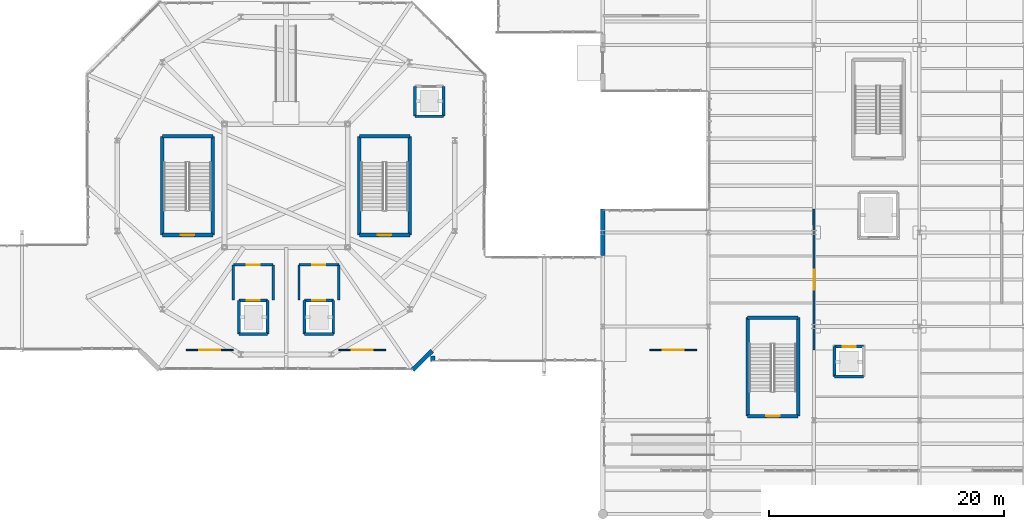
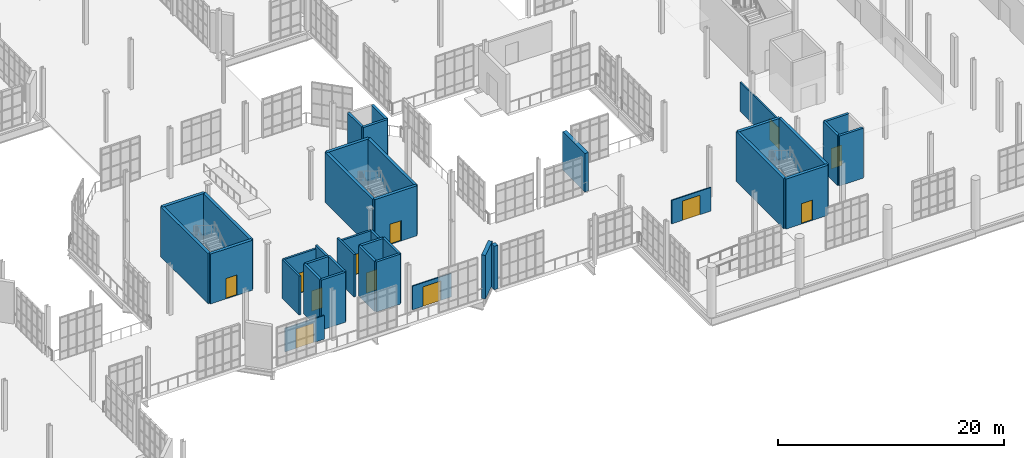
# One storey, part 173 of 189: 39 walls, 12 doors, 12 openings.
"""IFC4 building model written with IfcOpenShell, lengths in metres."""

from ifc_helpers import new_model, si_unit, direction, frame, frame_2d, origin, place, context, subcontext, project, spatial, rectangle, extrude, material, layer, layer_set, type_object, element, fill, save


model = new_model("IFC4")

# Units and contexts
model_context = context("Model", 3, precision=1e-05, world=origin(), true_north=direction((0.0, 1.0)))
body_context = subcontext(model_context, "Body", "Model", "MODEL_VIEW")
ifc_project = project(units=[si_unit("LENGTHUNIT", "METRE"), si_unit("AREAUNIT", "SQUARE_METRE"), si_unit("VOLUMEUNIT", "CUBIC_METRE"), si_unit("PLANEANGLEUNIT", "RADIAN"), si_unit("MASSUNIT", "GRAM", prefix="KILO"), si_unit("THERMODYNAMICTEMPERATUREUNIT", "KELVIN"), si_unit("POWERUNIT", "WATT")], contexts=[model_context])

# Site, building, storey
site_placement = place(None, origin())
site = spatial("IfcSite", under=ifc_project, at=site_placement, CompositionType="ELEMENT")
building_placement = place(site_placement, origin())
building = spatial("IfcBuilding", under=site, at=building_placement, Name="Zelmaris Science Centre", CompositionType="ELEMENT")
storey_placement = place(building_placement, origin())
storey = spatial("IfcBuildingStorey", under=building, at=storey_placement, Name="L00", CompositionType="ELEMENT", Elevation=0.0)

# Wall, opening, door
ifc_material_1 = material(Name="Concrete C40/50", Category="concrete")
ifc_layer_1 = layer(ifc_material_1, 0.300048828125, Name="Concrete C40/50")
ifc_layer_set_1 = layer_set([ifc_layer_1], Name="Concrete C40/50")
wall_type_1 = type_object("IfcWallType", Name="Core Shear Wall CW-S1 300mm", PredefinedType="SOLIDWALL", material=ifc_layer_set_1)
wall_1_placement = place(storey_placement, frame((74.75, 31.800048828125, 0.0), z_axis=(0.0, 0.0, 1.0), x_axis=(-1.0, 0.0, 0.0)))
wall_1 = element("IfcWall", 1, at=wall_1_placement, inside=storey, type_object=wall_type_1, Name="L00 ST-1 core shear wall near", PredefinedType="SOLIDWALL", context=body_context, shape_type="SweptSolid", body=[
    extrude(rectangle(XDim=4.300048828125, YDim=0.300048828125, at=frame_2d((2.14990234375, 0.0))), origin(), (0.0, 0.0, 1.0), 5.39990234375),
])
opening_1_placement = place(wall_1_placement, frame((1.574951171875, 0.0, 0.0)))
opening_1 = element("IfcOpeningElement", 2, at=opening_1_placement, cuts=wall_1, Name="Opening D-FD90", PredefinedType="OPENING", context=body_context, shape_type="SweptSolid", body=[
    extrude(rectangle(XDim=1.14990234375, YDim=2.199951171875, at=frame_2d((0.574951171875, 1.10009765625))), frame((0.0, 0.159912109375, 0.0), z_axis=(0.0, -1.0, 0.0), x_axis=(1.0, 0.0, 0.0)), (0.0, 0.0, 1.0), 0.320068359375),
])
ifc_material_2 = material(Name="Steel ASTM A36", Category="steel")
door_type_1 = type_object("IfcDoorType", Name="Interior Door D-FD90 1150x2200", OperationType="NOTDEFINED", PredefinedType="DOOR", material=ifc_material_2)
door_1_placement = place(opening_1_placement, origin())
door_1 = element("IfcDoor", 3, at=door_1_placement, inside=storey, type_object=door_type_1, Name="L00 ST-1 exit stair fire door", OperationType="SINGLE_SWING_RIGHT", OverallHeight=2.199951171875, OverallWidth=1.14990234375, PredefinedType="DOOR", context=body_context, shape_type="SweptSolid", body=[
    extrude(rectangle(XDim=1.14990234375, YDim=2.199951171875, at=frame_2d((0.574951171875, 1.10009765625))), frame((0.0, 0.02490234375, 0.0), z_axis=(0.0, -1.0, 0.0), x_axis=(1.0, 0.0, 0.0)), (0.0, 0.0, 1.0), 0.050048828125),
])
fill(opening_1, door_1)

# Walls
wall_2_placement = place(storey_placement, frame((74.75, 31.800048828125, 0.0), z_axis=(0.0, 0.0, 1.0), x_axis=(0.0, 1.0, 0.0)))
element("IfcWall", 4, at=wall_2_placement, inside=storey, type_object=wall_type_1, Name="L00 ST-1 core shear wall east", PredefinedType="SOLIDWALL", context=body_context, shape_type="SweptSolid", body=[
    extrude(rectangle(XDim=8.39990234375, YDim=0.300048828125, at=frame_2d((4.199951171875, 0.0))), origin(), (0.0, 0.0, 1.0), 5.39990234375),
])
wall_3_placement = place(storey_placement, frame((74.75, 40.199951171875, 0.0), z_axis=(0.0, 0.0, 1.0), x_axis=(-1.0, 0.0, 0.0)))
element("IfcWall", 5, at=wall_3_placement, inside=storey, type_object=wall_type_1, Name="L00 ST-1 core shear wall far", PredefinedType="SOLIDWALL", context=body_context, shape_type="SweptSolid", body=[
    extrude(rectangle(XDim=4.300048828125, YDim=0.300048828125, at=frame_2d((2.14990234375, 0.0))), origin(), (0.0, 0.0, 1.0), 5.39990234375),
])
wall_4_placement = place(storey_placement, frame((70.449951171875, 31.800048828125, 0.0), z_axis=(0.0, 0.0, 1.0), x_axis=(0.0, 1.0, 0.0)))
element("IfcWall", 6, at=wall_4_placement, inside=storey, type_object=wall_type_1, Name="L00 ST-1 core shear wall west", PredefinedType="SOLIDWALL", context=body_context, shape_type="SweptSolid", body=[
    extrude(rectangle(XDim=8.39990234375, YDim=0.300048828125, at=frame_2d((4.199951171875, 0.0))), origin(), (0.0, 0.0, 1.0), 5.39990234375),
])

# Wall, opening, door
wall_5_placement = place(storey_placement, frame((91.550048828125, 31.800048828125, 0.0), z_axis=(0.0, 0.0, 1.0), x_axis=(-1.0, 0.0, 0.0)))
wall_5 = element("IfcWall", 7, at=wall_5_placement, inside=storey, type_object=wall_type_1, Name="L00 ST-2 core shear wall near", PredefinedType="SOLIDWALL", context=body_context, shape_type="SweptSolid", body=[
    extrude(rectangle(XDim=4.300048828125, YDim=0.300048828125, at=frame_2d((2.14990234375, 0.0))), origin(), (0.0, 0.0, 1.0), 5.39990234375),
])
opening_2_placement = place(wall_5_placement, frame((1.574951171875, 0.0, 0.0)))
opening_2 = element("IfcOpeningElement", 8, at=opening_2_placement, cuts=wall_5, Name="Opening D-FD90", PredefinedType="OPENING", context=body_context, shape_type="SweptSolid", body=[
    extrude(rectangle(XDim=1.14990234375, YDim=2.199951171875, at=frame_2d((0.574951171875, 1.10009765625))), frame((0.0, 0.159912109375, 0.0), z_axis=(0.0, -1.0, 0.0), x_axis=(1.0, 0.0, 0.0)), (0.0, 0.0, 1.0), 0.320068359375),
])
door_2_placement = place(opening_2_placement, origin())
door_2 = element("IfcDoor", 9, at=door_2_placement, inside=storey, type_object=door_type_1, Name="L00 ST-2 exit stair fire door", OperationType="SINGLE_SWING_LEFT", OverallHeight=2.199951171875, OverallWidth=1.14990234375, PredefinedType="DOOR", context=body_context, shape_type="SweptSolid", body=[
    extrude(rectangle(XDim=1.14990234375, YDim=2.199951171875, at=frame_2d((0.574951171875, 1.10009765625))), frame((0.0, 0.02490234375, 0.0), z_axis=(0.0, -1.0, 0.0), x_axis=(1.0, 0.0, 0.0)), (0.0, 0.0, 1.0), 0.050048828125),
])
fill(opening_2, door_2)

# Walls
wall_6_placement = place(storey_placement, frame((91.550048828125, 31.800048828125, 0.0), z_axis=(0.0, 0.0, 1.0), x_axis=(0.0, 1.0, 0.0)))
element("IfcWall", 10, at=wall_6_placement, inside=storey, type_object=wall_type_1, Name="L00 ST-2 core shear wall east", PredefinedType="SOLIDWALL", context=body_context, shape_type="SweptSolid", body=[
    extrude(rectangle(XDim=8.39990234375, YDim=0.300048828125, at=frame_2d((4.199951171875, 0.0))), origin(), (0.0, 0.0, 1.0), 5.39990234375),
])
wall_7_placement = place(storey_placement, frame((91.550048828125, 40.199951171875, 0.0), z_axis=(0.0, 0.0, 1.0), x_axis=(-1.0, 0.0, 0.0)))
element("IfcWall", 11, at=wall_7_placement, inside=storey, type_object=wall_type_1, Name="L00 ST-2 core shear wall far", PredefinedType="SOLIDWALL", context=body_context, shape_type="SweptSolid", body=[
    extrude(rectangle(XDim=4.300048828125, YDim=0.300048828125, at=frame_2d((2.14990234375, 0.0))), origin(), (0.0, 0.0, 1.0), 5.39990234375),
])
wall_8_placement = place(storey_placement, frame((87.25, 31.800048828125, 0.0), z_axis=(0.0, 0.0, 1.0), x_axis=(0.0, 1.0, 0.0)))
element("IfcWall", 12, at=wall_8_placement, inside=storey, type_object=wall_type_1, Name="L00 ST-2 core shear wall west", PredefinedType="SOLIDWALL", context=body_context, shape_type="SweptSolid", body=[
    extrude(rectangle(XDim=8.39990234375, YDim=0.300048828125, at=frame_2d((4.199951171875, 0.0))), origin(), (0.0, 0.0, 1.0), 5.39990234375),
])

# Wall, opening, door
wall_9_placement = place(storey_placement, frame((124.64990234375, 16.35009765625, 0.0), z_axis=(0.0, 0.0, 1.0), x_axis=(-1.0, 0.0, 0.0)))
wall_9 = element("IfcWall", 13, at=wall_9_placement, inside=storey, type_object=wall_type_1, Name="L00 ST-4 core shear wall near", PredefinedType="SOLIDWALL", context=body_context, shape_type="SweptSolid", body=[
    extrude(rectangle(XDim=4.2998046875, YDim=0.300048828125, at=frame_2d((2.14990234375, 0.0))), origin(), (0.0, 0.0, 1.0), 5.39990234375),
])
opening_3_placement = place(wall_9_placement, frame((1.574951171875, 0.0, 0.0)))
opening_3 = element("IfcOpeningElement", 14, at=opening_3_placement, cuts=wall_9, Name="Opening D-FD90", PredefinedType="OPENING", context=body_context, shape_type="SweptSolid", body=[
    extrude(rectangle(XDim=1.14990234375, YDim=2.199951171875, at=frame_2d((0.574951171875, 1.10009765625))), frame((0.0, 0.159912109375, 0.0), z_axis=(0.0, -1.0, 0.0), x_axis=(1.0, 0.0, 0.0)), (0.0, 0.0, 1.0), 0.320068359375),
])
door_3_placement = place(opening_3_placement, origin())
door_3 = element("IfcDoor", 15, at=door_3_placement, inside=storey, type_object=door_type_1, Name="L00 ST-4 exit stair fire door", OperationType="SINGLE_SWING_LEFT", OverallHeight=2.199951171875, OverallWidth=1.14990234375, PredefinedType="DOOR", context=body_context, shape_type="SweptSolid", body=[
    extrude(rectangle(XDim=1.14990234375, YDim=2.199951171875, at=frame_2d((0.574951171875, 1.10009765625))), frame((0.0, 0.02490234375, 0.0), z_axis=(0.0, -1.0, 0.0), x_axis=(1.0, 0.0, 0.0)), (0.0, 0.0, 1.0), 0.050048828125),
])
fill(opening_3, door_3)

# Walls
wall_10_placement = place(storey_placement, frame((124.64990234375, 16.35009765625, 0.0), z_axis=(0.0, 0.0, 1.0), x_axis=(0.0, 1.0, 0.0)))
element("IfcWall", 16, at=wall_10_placement, inside=storey, type_object=wall_type_1, Name="L00 ST-4 core shear wall east", PredefinedType="SOLIDWALL", context=body_context, shape_type="SweptSolid", body=[
    extrude(rectangle(XDim=8.39990234375, YDim=0.300048828125, at=frame_2d((4.199951171875, 0.0))), origin(), (0.0, 0.0, 1.0), 5.39990234375),
])
wall_11_placement = place(storey_placement, frame((124.64990234375, 24.75, 0.0), z_axis=(0.0, 0.0, 1.0), x_axis=(-1.0, 0.0, 0.0)))
element("IfcWall", 17, at=wall_11_placement, inside=storey, type_object=wall_type_1, Name="L00 ST-4 core shear wall far", PredefinedType="SOLIDWALL", context=body_context, shape_type="SweptSolid", body=[
    extrude(rectangle(XDim=4.2998046875, YDim=0.300048828125, at=frame_2d((2.14990234375, 0.0))), origin(), (0.0, 0.0, 1.0), 5.39990234375),
])
wall_12_placement = place(storey_placement, frame((120.35009765625, 16.35009765625, 0.0), z_axis=(0.0, 0.0, 1.0), x_axis=(0.0, 1.0, 0.0)))
element("IfcWall", 18, at=wall_12_placement, inside=storey, type_object=wall_type_1, Name="L00 ST-4 core shear wall west", PredefinedType="SOLIDWALL", context=body_context, shape_type="SweptSolid", body=[
    extrude(rectangle(XDim=8.39990234375, YDim=0.300048828125, at=frame_2d((4.199951171875, 0.0))), origin(), (0.0, 0.0, 1.0), 5.39990234375),
])
ifc_layer_2 = layer(ifc_material_1, 0.25, Name="Concrete C40/50")
ifc_layer_set_2 = layer_set([ifc_layer_2], Name="Concrete C40/50")
wall_type_2 = type_object("IfcWallType", Name="Core Shear Wall CW-S2 250mm", PredefinedType="SOLIDWALL", material=ifc_layer_set_2)
wall_13_placement = place(storey_placement, frame((76.97509765625, 23.375, 0.0), z_axis=(0.0, 0.0, 1.0), x_axis=(1.0, 0.0, 0.0)))
element("IfcWall", 19, at=wall_13_placement, inside=storey, type_object=wall_type_2, Name="L00 FL-01 lift shaft wall -y", PredefinedType="SOLIDWALL", context=body_context, shape_type="SweptSolid", body=[
    extrude(rectangle(XDim=2.449951171875, YDim=0.25, at=frame_2d((1.22509765625, 0.0))), origin(), (0.0, 0.0, 1.0), 5.39990234375),
])
wall_14_placement = place(storey_placement, frame((79.425048828125, 23.375, 0.0), z_axis=(0.0, 0.0, 1.0), x_axis=(0.0, 1.0, 0.0)))
element("IfcWall", 20, at=wall_14_placement, inside=storey, type_object=wall_type_2, Name="L00 FL-01 lift shaft wall +x", PredefinedType="SOLIDWALL", context=body_context, shape_type="SweptSolid", body=[
    extrude(rectangle(XDim=2.85009765625, YDim=0.25, at=frame_2d((1.425048828125, 0.0))), origin(), (0.0, 0.0, 1.0), 5.39990234375),
])

# Wall, opening, door
wall_15_placement = place(storey_placement, frame((79.425048828125, 26.22509765625, 0.0), z_axis=(0.0, 0.0, 1.0), x_axis=(-1.0, 0.0, 0.0)))
wall_15 = element("IfcWall", 21, at=wall_15_placement, inside=storey, type_object=wall_type_2, Name="L00 FL-01 lift shaft wall +y", PredefinedType="SOLIDWALL", context=body_context, shape_type="SweptSolid", body=[
    extrude(rectangle(XDim=2.449951171875, YDim=0.25, at=frame_2d((1.22509765625, 0.0))), origin(), (0.0, 0.0, 1.0), 5.39990234375),
])
opening_4_placement = place(wall_15_placement, frame((0.675048828125, 0.0, 0.0)))
opening_4 = element("IfcOpeningElement", 22, at=opening_4_placement, cuts=wall_15, Name="Opening LD-01", PredefinedType="OPENING", context=body_context, shape_type="SweptSolid", body=[
    extrude(rectangle(XDim=1.10009765625, YDim=2.199951171875, at=frame_2d((0.550048828125, 1.10009765625))), frame((0.0, 0.135009765625, 0.0), z_axis=(0.0, -1.0, 0.0), x_axis=(1.0, 0.0, 0.0)), (0.0, 0.0, 1.0), 0.27001953125),
])
door_type_2 = type_object("IfcDoorType", Name="Interior Door LD-01 1100x2200", OperationType="SLIDING_TO_LEFT", PredefinedType="DOOR", material=ifc_material_2)
door_4_placement = place(opening_4_placement, origin())
door_4 = element("IfcDoor", 23, at=door_4_placement, inside=storey, type_object=door_type_2, Name="Landing door LD-FL-01-L00", OperationType="SLIDING_TO_LEFT", OverallHeight=2.199951171875, OverallWidth=1.10009765625, PredefinedType="DOOR", context=body_context, shape_type="SweptSolid", body=[
    extrude(rectangle(XDim=1.10009765625, YDim=2.199951171875, at=frame_2d((0.550048828125, 1.10009765625))), frame((0.0, 0.02490234375, 0.0), z_axis=(0.0, -1.0, 0.0), x_axis=(1.0, 0.0, 0.0)), (0.0, 0.0, 1.0), 0.050048828125),
])
fill(opening_4, door_4)

# Walls
wall_16_placement = place(storey_placement, frame((76.97509765625, 26.22509765625, 0.0), z_axis=(0.0, 0.0, 1.0), x_axis=(0.0, -1.0, 0.0)))
element("IfcWall", 24, at=wall_16_placement, inside=storey, type_object=wall_type_2, Name="L00 FL-01 lift shaft wall -x", PredefinedType="SOLIDWALL", context=body_context, shape_type="SweptSolid", body=[
    extrude(rectangle(XDim=2.85009765625, YDim=0.25, at=frame_2d((1.425048828125, 0.0))), origin(), (0.0, 0.0, 1.0), 5.39990234375),
])
wall_17_placement = place(storey_placement, frame((82.574951171875, 23.375, 0.0), z_axis=(0.0, 0.0, 1.0), x_axis=(1.0, 0.0, 0.0)))
element("IfcWall", 25, at=wall_17_placement, inside=storey, type_object=wall_type_2, Name="L00 FL-02 lift shaft wall -y", PredefinedType="SOLIDWALL", context=body_context, shape_type="SweptSolid", body=[
    extrude(rectangle(XDim=2.449951171875, YDim=0.25, at=frame_2d((1.22509765625, 0.0))), origin(), (0.0, 0.0, 1.0), 5.39990234375),
])
wall_18_placement = place(storey_placement, frame((85.02490234375, 23.375, 0.0), z_axis=(0.0, 0.0, 1.0), x_axis=(0.0, 1.0, 0.0)))
element("IfcWall", 26, at=wall_18_placement, inside=storey, type_object=wall_type_2, Name="L00 FL-02 lift shaft wall +x", PredefinedType="SOLIDWALL", context=body_context, shape_type="SweptSolid", body=[
    extrude(rectangle(XDim=2.85009765625, YDim=0.25, at=frame_2d((1.425048828125, 0.0))), origin(), (0.0, 0.0, 1.0), 5.39990234375),
])

# Wall, opening, door
wall_19_placement = place(storey_placement, frame((85.02490234375, 26.22509765625, 0.0), z_axis=(0.0, 0.0, 1.0), x_axis=(-1.0, 0.0, 0.0)))
wall_19 = element("IfcWall", 27, at=wall_19_placement, inside=storey, type_object=wall_type_2, Name="L00 FL-02 lift shaft wall +y", PredefinedType="SOLIDWALL", context=body_context, shape_type="SweptSolid", body=[
    extrude(rectangle(XDim=2.449951171875, YDim=0.25, at=frame_2d((1.22509765625, 0.0))), origin(), (0.0, 0.0, 1.0), 5.39990234375),
])
opening_5_placement = place(wall_19_placement, frame((0.675048828125, 0.0, 0.0)))
opening_5 = element("IfcOpeningElement", 28, at=opening_5_placement, cuts=wall_19, Name="Opening LD-01", PredefinedType="OPENING", context=body_context, shape_type="SweptSolid", body=[
    extrude(rectangle(XDim=1.10009765625, YDim=2.199951171875, at=frame_2d((0.550048828125, 1.10009765625))), frame((0.0, 0.135009765625, 0.0), z_axis=(0.0, -1.0, 0.0), x_axis=(1.0, 0.0, 0.0)), (0.0, 0.0, 1.0), 0.27001953125),
])
door_5_placement = place(opening_5_placement, origin())
door_5 = element("IfcDoor", 29, at=door_5_placement, inside=storey, type_object=door_type_2, Name="Landing door LD-FL-02-L00", OperationType="SLIDING_TO_LEFT", OverallHeight=2.199951171875, OverallWidth=1.10009765625, PredefinedType="DOOR", context=body_context, shape_type="SweptSolid", body=[
    extrude(rectangle(XDim=1.10009765625, YDim=2.199951171875, at=frame_2d((0.550048828125, 1.10009765625))), frame((0.0, 0.02490234375, 0.0), z_axis=(0.0, -1.0, 0.0), x_axis=(1.0, 0.0, 0.0)), (0.0, 0.0, 1.0), 0.050048828125),
])
fill(opening_5, door_5)

# Walls
wall_20_placement = place(storey_placement, frame((82.574951171875, 26.22509765625, 0.0), z_axis=(0.0, 0.0, 1.0), x_axis=(0.0, -1.0, 0.0)))
element("IfcWall", 30, at=wall_20_placement, inside=storey, type_object=wall_type_2, Name="L00 FL-02 lift shaft wall -x", PredefinedType="SOLIDWALL", context=body_context, shape_type="SweptSolid", body=[
    extrude(rectangle(XDim=2.85009765625, YDim=0.25, at=frame_2d((1.425048828125, 0.0))), origin(), (0.0, 0.0, 1.0), 5.39990234375),
])
wall_21_placement = place(storey_placement, frame((91.97509765625, 41.925048828125, 0.0), z_axis=(0.0, 0.0, 1.0), x_axis=(1.0, 0.0, 0.0)))
element("IfcWall", 31, at=wall_21_placement, inside=storey, type_object=wall_type_2, Name="L00 LP-01 lift shaft wall -y", PredefinedType="SOLIDWALL", context=body_context, shape_type="SweptSolid", body=[
    extrude(rectangle(XDim=2.449951171875, YDim=0.25, at=frame_2d((1.22509765625, 0.0))), origin(), (0.0, 0.0, 1.0), 5.39990234375),
])
for number, where, z_axis, x_axis, name in (
    (32, (94.425048828125, 41.925048828125, 0.0), (0.0, 0.0, 1.0), (0.0, 1.0, 0.0), "L00 LP-01 lift shaft wall +x"),
    (33, (91.97509765625, 44.47509765625, 0.0), (0.0, 0.0, 1.0), (0.0, -1.0, 0.0), "L00 LP-01 lift shaft wall -x"),
):
    element("IfcWall", number, at=place(storey_placement, frame(where, z_axis=z_axis, x_axis=x_axis)), inside=storey, type_object=wall_type_2, Name=name, PredefinedType="SOLIDWALL", context=body_context, shape_type="SweptSolid", body=[
        extrude(rectangle(XDim=2.550048828125, YDim=0.25, at=frame_2d((1.27490234375, 0.0))), origin(), (0.0, 0.0, 1.0), 5.39990234375),
    ])
wall_22_placement = place(storey_placement, frame((127.77490234375, 19.72509765625, 0.0), z_axis=(0.0, 0.0, 1.0), x_axis=(1.0, 0.0, 0.0)))
element("IfcWall", 34, at=wall_22_placement, inside=storey, type_object=wall_type_2, Name="L00 LP-02 lift shaft wall -y", PredefinedType="SOLIDWALL", context=body_context, shape_type="SweptSolid", body=[
    extrude(rectangle(XDim=2.4501953125, YDim=0.25, at=frame_2d((1.22509765625, 0.0))), origin(), (0.0, 0.0, 1.0), 5.39990234375),
])

# Wall, opening, door
wall_23_placement = place(storey_placement, frame((130.22509765625, 22.27490234375, 0.0), z_axis=(0.0, 0.0, 1.0), x_axis=(-1.0, 0.0, 0.0)))
wall_23 = element("IfcWall", 35, at=wall_23_placement, inside=storey, type_object=wall_type_2, Name="L00 LP-02 lift shaft wall +y", PredefinedType="SOLIDWALL", context=body_context, shape_type="SweptSolid", body=[
    extrude(rectangle(XDim=2.4501953125, YDim=0.25, at=frame_2d((1.22509765625, 0.0))), origin(), (0.0, 0.0, 1.0), 5.39990234375),
])
opening_6_placement = place(wall_23_placement, frame((0.675048828125, 0.0, 0.0)))
opening_6 = element("IfcOpeningElement", 36, at=opening_6_placement, cuts=wall_23, Name="Opening LD-01", PredefinedType="OPENING", context=body_context, shape_type="SweptSolid", body=[
    extrude(rectangle(XDim=1.10009765625, YDim=2.199951171875, at=frame_2d((0.550048828125, 1.10009765625))), frame((0.0, 0.135009765625, 0.0), z_axis=(0.0, -1.0, 0.0), x_axis=(1.0, 0.0, 0.0)), (0.0, 0.0, 1.0), 0.27001953125),
])
door_6_placement = place(opening_6_placement, origin())
door_6 = element("IfcDoor", 37, at=door_6_placement, inside=storey, type_object=door_type_2, Name="Landing door LD-LP-02-L00", OperationType="SLIDING_TO_LEFT", OverallHeight=2.199951171875, OverallWidth=1.10009765625, PredefinedType="DOOR", context=body_context, shape_type="SweptSolid", body=[
    extrude(rectangle(XDim=1.10009765625, YDim=2.199951171875, at=frame_2d((0.550048828125, 1.10009765625))), frame((0.0, 0.02490234375, 0.0), z_axis=(0.0, -1.0, 0.0), x_axis=(1.0, 0.0, 0.0)), (0.0, 0.0, 1.0), 0.050048828125),
])
fill(opening_6, door_6)

# Walls
wall_24_placement = place(storey_placement, frame((127.77490234375, 22.27490234375, 0.0), z_axis=(0.0, 0.0, 1.0), x_axis=(0.0, -1.0, 0.0)))
element("IfcWall", 38, at=wall_24_placement, inside=storey, type_object=wall_type_2, Name="L00 LP-02 lift shaft wall -x", PredefinedType="SOLIDWALL", context=body_context, shape_type="SweptSolid", body=[
    extrude(rectangle(XDim=2.5498046875, YDim=0.25, at=frame_2d((1.27490234375, 0.0))), origin(), (0.0, 0.0, 1.0), 5.39990234375),
])
ifc_material_3 = material(Name="Yucatan limestone ashlar masonry", Category="masonry")
ifc_layer_3 = layer(ifc_material_3, 0.3798828125, Name="Yucatan limestone ashlar masonry")
ifc_layer_set_3 = layer_set([ifc_layer_3], Name="Yucatan limestone ashlar masonry")
wall_type_3 = type_object("IfcWallType", Name="Exterior Wall EW-01 380mm", PredefinedType="SOLIDWALL", material=ifc_layer_set_3)
wall_25_placement = place(storey_placement, frame((108.0, 30.06005859375, 0.0), z_axis=(0.0, 0.0, 1.0), x_axis=(0.0, 1.0, 0.0)))
element("IfcWall", 39, at=wall_25_placement, inside=storey, type_object=wall_type_3, Name="L00 Exterior wall 16", PredefinedType="SOLIDWALL", context=body_context, shape_type="SweptSolid", body=[
    extrude(rectangle(XDim=3.93994140625, YDim=0.3798828125, at=frame_2d((1.969970703125, 0.0))), origin(), (0.0, 0.0, 1.0), 4.153076171875),
])
wall_26_placement = place(storey_placement, frame((93.5, 21.0, 0.0), z_axis=(0.0, 0.0, 1.0), x_axis=(0.0, 1.0, 0.0)))
element("IfcWall", 40, at=wall_26_placement, inside=storey, type_object=wall_type_3, Name="L00 Exterior wall 22", PredefinedType="SOLIDWALL", context=body_context, shape_type="SweptSolid", body=[
    extrude(rectangle(XDim=0.48095703125, YDim=0.3798828125, at=frame_2d((0.240478515625, 0.0))), origin(), (0.0, 0.0, 1.0), 4.699951171875),
])
wall_27_placement = place(storey_placement, frame((93.43994140625, 21.9150390625, 0.0), z_axis=(0.0, 0.0, 1.0), x_axis=(-0.712495836669, -0.701676337586, 0.0)))
element("IfcWall", 41, at=wall_27_placement, inside=storey, type_object=wall_type_3, Name="L00 Exterior wall 23", PredefinedType="SOLIDWALL", context=body_context, shape_type="SweptSolid", body=[
    extrude(rectangle(XDim=2.301513671875, YDim=0.3798828125, at=frame_2d((1.15087890625, 0.0))), origin(), (0.0, 0.0, 1.0), 4.699951171875),
])
ifc_material_4 = material(Name="Autoclaved aerated concrete blockwork", Category="masonry")
ifc_layer_4 = layer(ifc_material_4, 0.199951171875, Name="Autoclaved aerated concrete blockwork")
ifc_layer_set_4 = layer_set([ifc_layer_4], Name="Autoclaved aerated concrete blockwork")
wall_type_4 = type_object("IfcWallType", Name="Interior Wall FW-01 200mm", PredefinedType="SOLIDWALL", material=ifc_layer_set_4)
wall_28_placement = place(storey_placement, frame((76.5, 26.25, 0.0), z_axis=(0.0, 0.0, 1.0), x_axis=(0.0, 1.0, 0.0)))
element("IfcWall", 42, at=wall_28_placement, inside=storey, type_object=wall_type_4, Name="L00 Firefighting Lobby FL-01 wall W", PredefinedType="SOLIDWALL", context=body_context, shape_type="SweptSolid", body=[
    extrude(rectangle(XDim=3.0, YDim=0.199951171875, at=frame_2d((1.5, 0.0))), origin(), (0.0, 0.0, 1.0), 4.2041015625),
])
wall_29_placement = place(storey_placement, frame((79.89990234375, 26.25, 0.0), z_axis=(0.0, 0.0, 1.0), x_axis=(0.0, 1.0, 0.0)))
element("IfcWall", 43, at=wall_29_placement, inside=storey, type_object=wall_type_4, Name="L00 Firefighting Lobby FL-01 wall E", PredefinedType="SOLIDWALL", context=body_context, shape_type="SweptSolid", body=[
    extrude(rectangle(XDim=3.0, YDim=0.199951171875, at=frame_2d((1.5, 0.0))), origin(), (0.0, 0.0, 1.0), 4.570068359375),
])

# Wall, opening, door
wall_30_placement = place(storey_placement, frame((76.5, 29.25, 0.0), z_axis=(0.0, 0.0, 1.0), x_axis=(1.0, 0.0, 0.0)))
wall_30 = element("IfcWall", 44, at=wall_30_placement, inside=storey, type_object=wall_type_4, Name="L00 Firefighting Lobby FL-01 wall N", PredefinedType="SOLIDWALL", context=body_context, shape_type="SweptSolid", body=[
    extrude(rectangle(XDim=3.39990234375, YDim=0.199951171875, at=frame_2d((1.699951171875, 0.0))), origin(), (0.0, 0.0, 1.0), 4.2041015625),
])
opening_7_placement = place(wall_30_placement, frame((1.14990234375, 0.0, 0.0)))
opening_7 = element("IfcOpeningElement", 45, at=opening_7_placement, cuts=wall_30, Name="Opening D-FD60", PredefinedType="OPENING", context=body_context, shape_type="SweptSolid", body=[
    extrude(rectangle(XDim=1.10009765625, YDim=2.199951171875, at=frame_2d((0.550048828125, 1.10009765625))), frame((0.0, 0.10986328125, 0.0), z_axis=(0.0, -1.0, 0.0), x_axis=(1.0, 0.0, 0.0)), (0.0, 0.0, 1.0), 0.219970703125),
])
door_type_3 = type_object("IfcDoorType", Name="Interior Door D-FD60 1100x2200", OperationType="NOTDEFINED", PredefinedType="DOOR", material=ifc_material_2)
door_7_placement = place(opening_7_placement, origin())
door_7 = element("IfcDoor", 46, at=door_7_placement, inside=storey, type_object=door_type_3, Name="L00 Firefighting Lobby FL-01 fire door", OperationType="SINGLE_SWING_RIGHT", OverallHeight=2.199951171875, OverallWidth=1.10009765625, PredefinedType="DOOR", context=body_context, shape_type="SweptSolid", body=[
    extrude(rectangle(XDim=1.10009765625, YDim=2.199951171875, at=frame_2d((0.550048828125, 1.10009765625))), frame((0.0, 0.02490234375, 0.0), z_axis=(0.0, -1.0, 0.0), x_axis=(1.0, 0.0, 0.0)), (0.0, 0.0, 1.0), 0.050048828125),
])
fill(opening_7, door_7)

# Walls
wall_31_placement = place(storey_placement, frame((82.10009765625, 26.25, 0.0), z_axis=(0.0, 0.0, 1.0), x_axis=(0.0, 1.0, 0.0)))
element("IfcWall", 47, at=wall_31_placement, inside=storey, type_object=wall_type_4, Name="L00 Firefighting Lobby FL-02 wall W", PredefinedType="SOLIDWALL", context=body_context, shape_type="SweptSolid", body=[
    extrude(rectangle(XDim=3.0, YDim=0.199951171875, at=frame_2d((1.5, 0.0))), origin(), (0.0, 0.0, 1.0), 4.570068359375),
])
wall_32_placement = place(storey_placement, frame((85.5, 26.25, 0.0), z_axis=(0.0, 0.0, 1.0), x_axis=(0.0, 1.0, 0.0)))
element("IfcWall", 48, at=wall_32_placement, inside=storey, type_object=wall_type_4, Name="L00 Firefighting Lobby FL-02 wall E", PredefinedType="SOLIDWALL", context=body_context, shape_type="SweptSolid", body=[
    extrude(rectangle(XDim=3.0, YDim=0.199951171875, at=frame_2d((1.5, 0.0))), origin(), (0.0, 0.0, 1.0), 4.2060546875),
])

# Wall, opening, door
wall_33_placement = place(storey_placement, frame((82.10009765625, 29.25, 0.0), z_axis=(0.0, 0.0, 1.0), x_axis=(1.0, 0.0, 0.0)))
wall_33 = element("IfcWall", 49, at=wall_33_placement, inside=storey, type_object=wall_type_4, Name="L00 Firefighting Lobby FL-02 wall N", PredefinedType="SOLIDWALL", context=body_context, shape_type="SweptSolid", body=[
    extrude(rectangle(XDim=3.39990234375, YDim=0.199951171875, at=frame_2d((1.699951171875, 0.0))), origin(), (0.0, 0.0, 1.0), 4.2060546875),
])
opening_8_placement = place(wall_33_placement, frame((1.14990234375, 0.0, 0.0)))
opening_8 = element("IfcOpeningElement", 50, at=opening_8_placement, cuts=wall_33, Name="Opening D-FD60", PredefinedType="OPENING", context=body_context, shape_type="SweptSolid", body=[
    extrude(rectangle(XDim=1.10009765625, YDim=2.199951171875, at=frame_2d((0.550048828125, 1.10009765625))), frame((0.0, 0.10986328125, 0.0), z_axis=(0.0, -1.0, 0.0), x_axis=(1.0, 0.0, 0.0)), (0.0, 0.0, 1.0), 0.219970703125),
])
door_8_placement = place(opening_8_placement, origin())
door_8 = element("IfcDoor", 51, at=door_8_placement, inside=storey, type_object=door_type_3, Name="L00 Firefighting Lobby FL-02 fire door", OperationType="SINGLE_SWING_LEFT", OverallHeight=2.199951171875, OverallWidth=1.10009765625, PredefinedType="DOOR", context=body_context, shape_type="SweptSolid", body=[
    extrude(rectangle(XDim=1.10009765625, YDim=2.199951171875, at=frame_2d((0.550048828125, 1.10009765625))), frame((0.0, 0.02490234375, 0.0), z_axis=(0.0, -1.0, 0.0), x_axis=(1.0, 0.0, 0.0)), (0.0, 0.0, 1.0), 0.050048828125),
])
fill(opening_8, door_8)

ifc_material_5 = material(Name="Fire-rated gypsum board on steel studs", Category="steel")
ifc_layer_5 = layer(ifc_material_5, 0.14990234375, Name="Fire-rated gypsum board on steel studs")
ifc_layer_set_5 = layer_set([ifc_layer_5], Name="Fire-rated gypsum board on steel studs")
wall_type_5 = type_object("IfcWallType", Name="Interior Wall PT-01 150mm", PredefinedType="PARTITIONING", material=ifc_layer_set_5)
wall_34_placement = place(storey_placement, frame((126.0048828125, 22.0048828125, 0.0), z_axis=(0.0, 0.0, 1.0), x_axis=(-0.000407232415, 0.999999917081, 0.0)))
wall_34 = element("IfcWall", 52, at=wall_34_placement, inside=storey, type_object=wall_type_5, Name="L00 Junior Discovery School Workshop partition 35", PredefinedType="PARTITIONING", context=body_context, shape_type="SweptSolid", body=[
    extrude(rectangle(XDim=11.990234375, YDim=0.14990234375, at=frame_2d((5.9951171875, 0.0))), origin(), (0.0, 0.0, 1.0), 3.14990234375),
])
opening_9_placement = place(wall_34_placement, frame((5.14501953125, 0.0, 0.0)))
opening_9 = element("IfcOpeningElement", 53, at=opening_9_placement, cuts=wall_34, Name="Opening D-IN8", PredefinedType="OPENING", context=body_context, shape_type="SweptSolid", body=[
    extrude(rectangle(XDim=1.699951171875, YDim=2.300048828125, at=frame_2d((0.85009765625, 1.14990234375))), frame((0.0, 0.0849609375, 0.0), z_axis=(0.0, -1.0, 0.0), x_axis=(1.0, 0.0, 0.0)), (0.0, 0.0, 1.0), 0.169921875),
])
ifc_material_6 = material(Name="Solid tropical tzalam hardwood", Category="wood")
door_type_4 = type_object("IfcDoorType", Name="Interior Door D-IN8 1700x2300", OperationType="NOTDEFINED", PredefinedType="DOOR", material=ifc_material_6)
door_9_placement = place(opening_9_placement, origin())
door_9 = element("IfcDoor", 54, at=door_9_placement, inside=storey, type_object=door_type_4, Name="L00 Junior Discovery School Workshop door", OperationType="SINGLE_SWING_RIGHT", OverallHeight=2.300048828125, OverallWidth=1.699951171875, PredefinedType="DOOR", context=body_context, shape_type="SweptSolid", body=[
    extrude(rectangle(XDim=1.699951171875, YDim=2.300048828125, at=frame_2d((0.85009765625, 1.14990234375))), frame((0.0, 0.02490234375, 0.0), z_axis=(0.0, -1.0, 0.0), x_axis=(1.0, 0.0, 0.0)), (0.0, 0.0, 1.0), 0.050048828125),
])
fill(opening_9, door_9)

ifc_layer_6 = layer(ifc_material_5, 0.110107421875, Name="Fire-rated gypsum board on steel studs")
ifc_layer_set_6 = layer_set([ifc_layer_6], Name="Fire-rated gypsum board on steel studs")
wall_type_6 = type_object("IfcWallType", Name="Interior Wall PT-03 110mm", PredefinedType="PARTITIONING", material=ifc_layer_set_6)
wall_35_placement = place(storey_placement, frame((72.5, 22.0, 0.0), z_axis=(0.0, 0.0, 1.0), x_axis=(1.0, 0.0, 0.0)))
wall_35 = element("IfcWall", 55, at=wall_35_placement, inside=storey, type_object=wall_type_6, Name="L00 Atrium south portal screen", PredefinedType="PARTITIONING", context=body_context, shape_type="SweptSolid", body=[
    extrude(rectangle(XDim=4.0, YDim=0.110107421875, at=frame_2d((2.0, 0.0))), origin(), (0.0, 0.0, 1.0), 2.550048828125),
])
opening_10_placement = place(wall_35_placement, frame((1.10009765625, 0.0, 0.0)))
opening_10 = element("IfcOpeningElement", 56, at=opening_10_placement, cuts=wall_35, Name="Opening GT-01", PredefinedType="OPENING", context=body_context, shape_type="SweptSolid", body=[
    extrude(rectangle(XDim=1.800048828125, YDim=2.10009765625, at=frame_2d((0.89990234375, 1.050048828125))), frame((0.0, 0.06494140625, 0.0), z_axis=(0.0, -1.0, 0.0), x_axis=(1.0, 0.0, 0.0)), (0.0, 0.0, 1.0), 0.130126953125),
])
ifc_material_7 = material(Name="Architectural bronze alloy C28000")
door_type_5 = type_object("IfcDoorType", Name="Interior Door GT-01 1800x2100", OperationType="NOTDEFINED", PredefinedType="GATE", material=ifc_material_7)
door_10_placement = place(opening_10_placement, origin())
door_10 = element("IfcDoor", 57, at=door_10_placement, inside=storey, type_object=door_type_5, Name="L00 Atrium south portal screen gate", OperationType="SINGLE_SWING_LEFT", OverallHeight=2.10009765625, OverallWidth=1.800048828125, PredefinedType="GATE", context=body_context, shape_type="SweptSolid", body=[
    extrude(rectangle(XDim=1.800048828125, YDim=2.10009765625, at=frame_2d((0.89990234375, 1.050048828125))), frame((0.0, 0.02490234375, 0.0), z_axis=(0.0, -1.0, 0.0), x_axis=(1.0, 0.0, 0.0)), (0.0, 0.0, 1.0), 0.050048828125),
])
fill(opening_10, door_10)

wall_36_placement = place(storey_placement, frame((85.5, 22.0, 0.0), z_axis=(0.0, 0.0, 1.0), x_axis=(1.0, 0.0, 0.0)))
wall_36 = element("IfcWall", 58, at=wall_36_placement, inside=storey, type_object=wall_type_6, Name="L00 Atrium east portal screen", PredefinedType="PARTITIONING", context=body_context, shape_type="SweptSolid", body=[
    extrude(rectangle(XDim=4.0, YDim=0.110107421875, at=frame_2d((2.0, 0.0))), origin(), (0.0, 0.0, 1.0), 2.550048828125),
])
opening_11_placement = place(wall_36_placement, frame((1.10009765625, 0.0, 0.0)))
opening_11 = element("IfcOpeningElement", 59, at=opening_11_placement, cuts=wall_36, Name="Opening GT-01", PredefinedType="OPENING", context=body_context, shape_type="SweptSolid", body=[
    extrude(rectangle(XDim=1.800048828125, YDim=2.10009765625, at=frame_2d((0.89990234375, 1.050048828125))), frame((0.0, 0.06494140625, 0.0), z_axis=(0.0, -1.0, 0.0), x_axis=(1.0, 0.0, 0.0)), (0.0, 0.0, 1.0), 0.130126953125),
])
door_11_placement = place(opening_11_placement, origin())
door_11 = element("IfcDoor", 60, at=door_11_placement, inside=storey, type_object=door_type_5, Name="L00 Atrium east portal screen gate", OperationType="SINGLE_SWING_RIGHT", OverallHeight=2.10009765625, OverallWidth=1.800048828125, PredefinedType="GATE", context=body_context, shape_type="SweptSolid", body=[
    extrude(rectangle(XDim=1.800048828125, YDim=2.10009765625, at=frame_2d((0.89990234375, 1.050048828125))), frame((0.0, 0.02490234375, 0.0), z_axis=(0.0, -1.0, 0.0), x_axis=(1.0, 0.0, 0.0)), (0.0, 0.0, 1.0), 0.050048828125),
])
fill(opening_11, door_11)

wall_37_placement = place(storey_placement, frame((112.0, 22.0, 0.0), z_axis=(0.0, 0.0, 1.0), x_axis=(1.0, 0.0, 0.0)))
wall_37 = element("IfcWall", 61, at=wall_37_placement, inside=storey, type_object=wall_type_6, Name="L00 Main entrance portal screen", PredefinedType="PARTITIONING", context=body_context, shape_type="SweptSolid", body=[
    extrude(rectangle(XDim=4.0, YDim=0.110107421875, at=frame_2d((2.0, 0.0))), origin(), (0.0, 0.0, 1.0), 2.550048828125),
])
opening_12_placement = place(wall_37_placement, frame((1.10009765625, 0.0, 0.0)))
opening_12 = element("IfcOpeningElement", 62, at=opening_12_placement, cuts=wall_37, Name="Opening GT-01", PredefinedType="OPENING", context=body_context, shape_type="SweptSolid", body=[
    extrude(rectangle(XDim=1.800048828125, YDim=2.10009765625, at=frame_2d((0.89990234375, 1.050048828125))), frame((0.0, 0.06494140625, 0.0), z_axis=(0.0, -1.0, 0.0), x_axis=(1.0, 0.0, 0.0)), (0.0, 0.0, 1.0), 0.130126953125),
])
door_12_placement = place(opening_12_placement, origin())
door_12 = element("IfcDoor", 63, at=door_12_placement, inside=storey, type_object=door_type_5, Name="L00 Main entrance portal screen gate", OperationType="SINGLE_SWING_LEFT", OverallHeight=2.10009765625, OverallWidth=1.800048828125, PredefinedType="GATE", context=body_context, shape_type="SweptSolid", body=[
    extrude(rectangle(XDim=1.800048828125, YDim=2.10009765625, at=frame_2d((0.89990234375, 1.050048828125))), frame((0.0, 0.02490234375, 0.0), z_axis=(0.0, -1.0, 0.0), x_axis=(1.0, 0.0, 0.0)), (0.0, 0.0, 1.0), 0.050048828125),
])
fill(opening_12, door_12)

save(model, "model.ifc")
